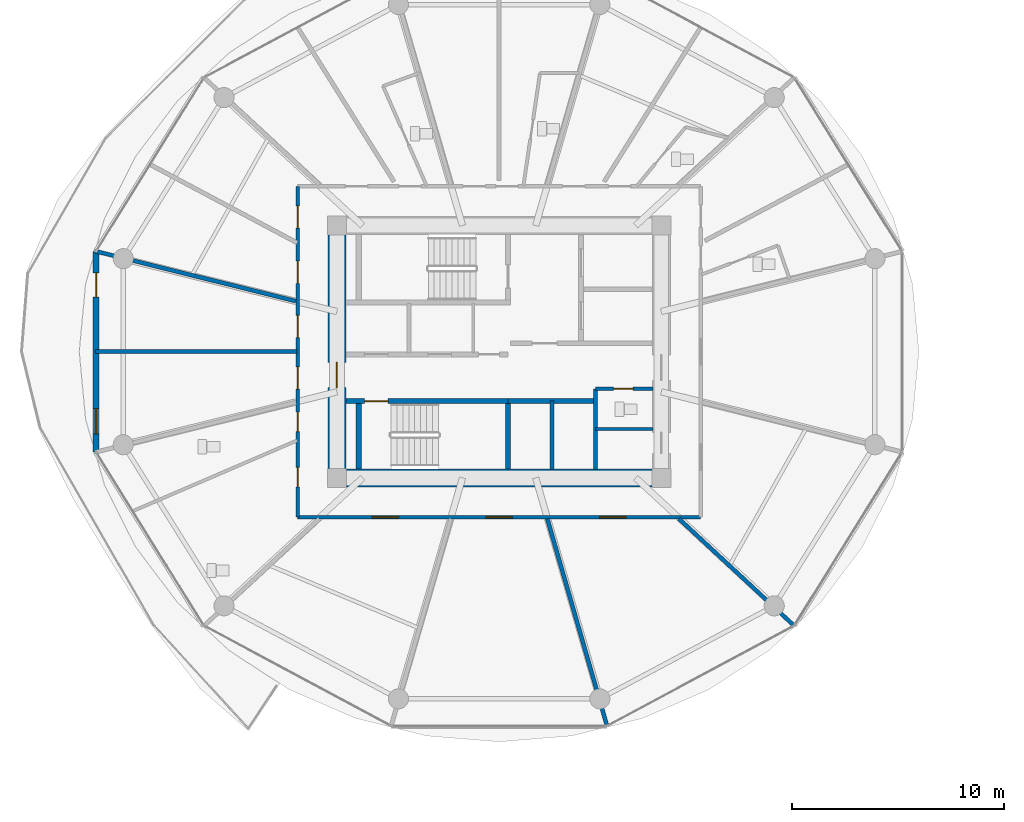
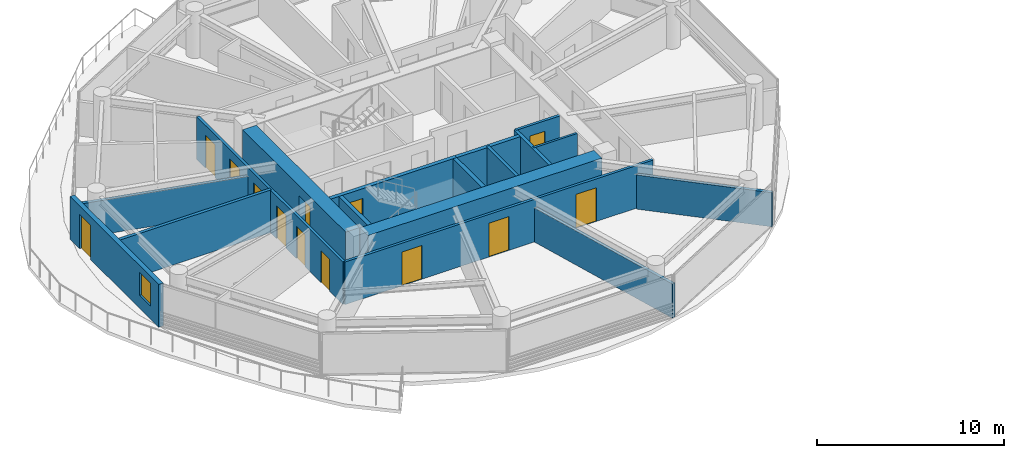
# One storey, part 15 of 27: 17 walls, 13 doors, 1 window, 14 openings.
"""IFC4 building model written with IfcOpenShell, lengths in metres."""

from ifc_helpers import new_model, si_unit, direction, frame, frame_2d, origin, place, context, subcontext, project, spatial, rectangle, extrude, source, transform, mapped, material, layer, layer_set, type_object, type_shapes, element, fill, save


model = new_model("IFC4")

# Units and contexts
model_context = context("Model", 3, precision=1e-05, world=origin(), true_north=direction((0.0, 1.0)))
body_context = subcontext(model_context, "Body", "Model", "MODEL_VIEW")
ifc_project = project(units=[si_unit("LENGTHUNIT", "METRE"), si_unit("AREAUNIT", "SQUARE_METRE"), si_unit("VOLUMEUNIT", "CUBIC_METRE"), si_unit("PLANEANGLEUNIT", "RADIAN"), si_unit("MASSUNIT", "GRAM", prefix="KILO")], contexts=[model_context])

# Site, building, storey
site_placement = place(None, origin())
site = spatial("IfcSite", under=ifc_project, at=site_placement, CompositionType="ELEMENT")
building_placement = place(site_placement, origin())
building = spatial("IfcBuilding", under=site, at=building_placement, Name="Norrkilde Senior Care Towers", CompositionType="ELEMENT")
storey_placement = place(building_placement, frame((0.0, 0.0, 36.85009765625)))
storey = spatial("IfcBuildingStorey", under=building, at=storey_placement, Name="L10", CompositionType="ELEMENT", Elevation=36.85009765625)

# Wall
ifc_material_1 = material(Name="Concrete C60/75", Category="concrete")
ifc_layer_1 = layer(ifc_material_1, 0.85009765625)
ifc_layer_set_1 = layer_set([ifc_layer_1], Name="Concrete C60/75")
wall_type_1 = type_object("IfcWallType", Name="Core Shear Wall Z1 850", PredefinedType="SHEAR", material=ifc_layer_set_1)
shared_shape_1 = source(origin(), body_context, "Body", "SweptSolid", [
    extrude(rectangle(XDim=14.39990234375, YDim=0.85009765625, at=frame_2d((7.199951171875, 0.0))), origin(), (0.0, 0.0, 1.0), 2.789794921875),
])
wall_1_placement = place(storey_placement, frame((-20.800048828125, -5.949951171875, 0.0), z_axis=(0.0, 0.0, 1.0), x_axis=(-1.0, 0.0, 0.0)))
element("IfcWall", 1, at=wall_1_placement, inside=storey, type_object=wall_type_1, Name="L10 Core W South Shear Wall", PredefinedType="SHEAR", context=body_context, shape_type="MappedRepresentation", body=[
    mapped(shared_shape_1, transform((0.0, 0.0, 0.0), x_axis=(1.0, 0.0, 0.0), y_axis=(0.0, 1.0, 0.0), z_axis=(0.0, 0.0, 1.0), scale=1.0)),
])

# Wall, opening, door
shared_shape_2 = source(origin(), body_context, "Body", "SweptSolid", [
    extrude(rectangle(XDim=11.0, YDim=0.85009765625, at=frame_2d((5.5, 0.0))), origin(), (0.0, 0.0, 1.0), 2.789794921875),
])
type_shapes(wall_type_1, [shared_shape_1, shared_shape_2])
wall_2_placement = place(storey_placement, frame((-35.64990234375, -5.5, 0.0), z_axis=(0.0, 0.0, 1.0), x_axis=(0.0, 1.0, 0.0)))
wall_2 = element("IfcWall", 2, at=wall_2_placement, inside=storey, type_object=wall_type_1, Name="L10 Core W West Shear Wall", PredefinedType="SHEAR", context=body_context, shape_type="MappedRepresentation", body=[
    mapped(shared_shape_2, transform((0.0, 0.0, 0.0), x_axis=(1.0, 0.0, 0.0), y_axis=(0.0, 1.0, 0.0), z_axis=(0.0, 0.0, 1.0), scale=1.0)),
])
opening_1_placement = place(wall_2_placement, frame((3.800048828125, 0.0, 0.0)))
opening_1 = element("IfcOpeningElement", 3, at=opening_1_placement, cuts=wall_2, Name="Opening D-04", PredefinedType="OPENING", context=body_context, shape_type="SweptSolid", body=[
    extrude(rectangle(XDim=1.199951171875, YDim=2.14990234375, at=frame_2d((0.60009765625, 1.074951171875))), frame((0.0, 0.43505859375, 0.0), z_axis=(0.0, -1.0, 0.0), x_axis=(1.0, 0.0, 0.0)), (0.0, 0.0, 1.0), 0.8701171875),
])
ifc_material_2 = material(Name="Galvanised Painted Steel", Category="steel")
door_type_1 = type_object("IfcDoorType", Name="Firefighting Lobby Fire Door 1200x2150", OperationType="NOTDEFINED", PredefinedType="DOOR", material=ifc_material_2)
shared_shape_3 = source(origin(), body_context, "Body", "SweptSolid", [
    extrude(rectangle(XDim=1.199951171875, YDim=2.14990234375, at=frame_2d((0.60009765625, 1.074951171875))), frame((0.0, 0.02490234375, 0.0), z_axis=(0.0, -1.0, 0.0), x_axis=(1.0, 0.0, 0.0)), (0.0, 0.0, 1.0), 0.050048828125),
])
type_shapes(door_type_1, [shared_shape_3])
door_1_placement = place(opening_1_placement, frame((1.199951171875, 0.0, 0.0), z_axis=(0.0, 0.0, 1.0), x_axis=(-1.0, 0.0, 0.0)))
door_1 = element("IfcDoor", 4, at=door_1_placement, inside=storey, type_object=door_type_1, Name="L10 Core W West Portal Door", OperationType="SINGLE_SWING_LEFT", OverallHeight=2.14990234375, OverallWidth=1.199951171875, PredefinedType="DOOR", context=body_context, shape_type="MappedRepresentation", body=[
    mapped(shared_shape_3, transform((0.0, 0.0, 0.0), x_axis=(1.0, 0.0, 0.0), y_axis=(0.0, 1.0, 0.0), z_axis=(0.0, 0.0, 1.0), scale=1.0)),
])
fill(opening_1, door_1)

# Wall, openings, door, window
ifc_material_3 = material(Name="Precast concrete C45/55", Category="concrete")
ifc_layer_2 = layer(ifc_material_3, 0.2900390625)
ifc_layer_set_2 = layer_set([ifc_layer_2], Name="Precast concrete C45/55")
wall_type_2 = type_object("IfcWallType", Name="Winter Garden Facade Wall 290", PredefinedType="SOLIDWALL", material=ifc_layer_set_2)
shared_shape_4 = source(origin(), body_context, "Body", "SweptSolid", [
    extrude(rectangle(XDim=9.46240234375, YDim=0.2900390625, at=frame_2d((4.731201171875, 0.0))), origin(), (0.0, 0.0, 1.0), 2.789794921875),
])
type_shapes(wall_type_2, [shared_shape_4])
wall_3_placement = place(storey_placement, frame((-47.009521484375, -4.731201171875, 0.0), z_axis=(0.0, 0.0, 1.0), x_axis=(0.0, 1.0, 0.0)))
wall_3 = element("IfcWall", 5, at=wall_3_placement, inside=storey, type_object=wall_type_2, Name="L10 Drum W Balcony Access Wall 05", PredefinedType="SOLIDWALL", context=body_context, shape_type="MappedRepresentation", body=[
    mapped(shared_shape_4, transform((0.0, 0.0, 0.0), x_axis=(1.0, 0.0, 0.0), y_axis=(0.0, 1.0, 0.0), z_axis=(0.0, 0.0, 1.0), scale=1.0)),
])
opening_2_placement = place(wall_3_placement, frame((7.300048828125, 0.0, 0.0)))
opening_2 = element("IfcOpeningElement", 6, at=opening_2_placement, cuts=wall_3, Name="Opening D-09", PredefinedType="OPENING", context=body_context, shape_type="SweptSolid", body=[
    extrude(rectangle(XDim=1.14990234375, YDim=2.25, at=frame_2d((0.574951171875, 1.125))), frame((0.0, 0.155029296875, 0.0), z_axis=(0.0, -1.0, 0.0), x_axis=(1.0, 0.0, 0.0)), (0.0, 0.0, 1.0), 0.31005859375),
])
opening_3_placement = place(wall_3_placement, frame((0.85009765625, 0.0, 0.85009765625)))
opening_3 = element("IfcOpeningElement", 7, at=opening_3_placement, cuts=wall_3, Name="Opening WN-07", PredefinedType="OPENING", context=body_context, shape_type="SweptSolid", body=[
    extrude(rectangle(XDim=1.199951171875, YDim=1.5, at=frame_2d((0.60009765625, 0.75))), frame((0.0, 0.155029296875, 0.0), z_axis=(0.0, -1.0, 0.0), x_axis=(1.0, 0.0, 0.0)), (0.0, 0.0, 1.0), 0.31005859375),
])
ifc_material_4 = material(Name="Anodised Aluminium", Category="aluminium")
door_type_2 = type_object("IfcDoorType", Name="Terrace and Balcony Glazed Door 1150x2250", OperationType="NOTDEFINED", PredefinedType="DOOR", material=ifc_material_4)
shared_shape_5 = source(origin(), body_context, "Body", "SweptSolid", [
    extrude(rectangle(XDim=1.14990234375, YDim=2.25, at=frame_2d((0.574951171875, 1.125))), frame((0.0, 0.02490234375, 0.0), z_axis=(0.0, -1.0, 0.0), x_axis=(1.0, 0.0, 0.0)), (0.0, 0.0, 1.0), 0.050048828125),
])
type_shapes(door_type_2, [shared_shape_5])
door_2_placement = place(opening_2_placement, origin())
door_2 = element("IfcDoor", 8, at=door_2_placement, inside=storey, type_object=door_type_2, Name="L10 Drum W Outdoor Terrace Door 05", OperationType="SINGLE_SWING_RIGHT", OverallHeight=2.25, OverallWidth=1.14990234375, PredefinedType="DOOR", context=body_context, shape_type="MappedRepresentation", body=[
    mapped(shared_shape_5, transform((0.0, 0.0, 0.0), x_axis=(1.0, 0.0, 0.0), y_axis=(0.0, 1.0, 0.0), z_axis=(0.0, 0.0, 1.0), scale=1.0)),
])
fill(opening_2, door_2)
ifc_material_5 = material(Name="Triple Low-E Insulated Glazing", Category="glass")
window_type = type_object("IfcWindowType", Name="Stairwell Smoke Vent Window 1200x1500", PartitioningType="SINGLE_PANEL", PredefinedType="WINDOW", material=ifc_material_5)
shared_shape_6 = source(origin(), body_context, "Body", "SweptSolid", [
    extrude(rectangle(XDim=1.199951171875, YDim=1.5, at=frame_2d((0.60009765625, 0.75))), frame((0.0, 0.030029296875, 0.0), z_axis=(0.0, -1.0, 0.0), x_axis=(1.0, 0.0, 0.0)), (0.0, 0.0, 1.0), 0.06005859375),
])
type_shapes(window_type, [shared_shape_6])
window_placement = place(opening_3_placement, origin())
window = element("IfcWindow", 9, at=window_placement, inside=storey, type_object=window_type, Name="L10 Drum W Winter Garden Window 05", OverallHeight=1.5, OverallWidth=1.199951171875, PartitioningType="SINGLE_PANEL", PredefinedType="WINDOW", context=body_context, shape_type="MappedRepresentation", body=[
    mapped(shared_shape_6, transform((0.0, 0.0, 0.0), x_axis=(1.0, 0.0, 0.0), y_axis=(0.0, 1.0, 0.0), z_axis=(0.0, 0.0, 1.0), scale=1.0)),
])
fill(opening_3, window)

# Wall, opening, door
ifc_material_6 = material(Name="Concrete C45/55", Category="concrete")
ifc_layer_3 = layer(ifc_material_6, 0.239990234375)
ifc_layer_set_3 = layer_set([ifc_layer_3], Name="Concrete C45/55")
wall_type_3 = type_object("IfcWallType", Name="Shaft and Stair Enclosure Wall 240", PredefinedType="PARTITIONING", material=ifc_layer_set_3)
shared_shape_7 = source(origin(), body_context, "Body", "SweptSolid", [
    extrude(rectangle(XDim=7.76513671875, YDim=0.239990234375, at=frame_2d((3.882568359375, 0.0))), origin(), (0.0, 0.0, 1.0), 2.789794921875),
])
wall_4_placement = place(storey_placement, frame((-35.22509765625, -2.330078125, 0.0), z_axis=(0.0, 0.0, 1.0), x_axis=(1.0, 0.0, 0.0)))
wall_4 = element("IfcWall", 10, at=wall_4_placement, inside=storey, type_object=wall_type_3, Name="WL-INT-L10-W-ST2N", PredefinedType="PARTITIONING", context=body_context, shape_type="MappedRepresentation", body=[
    mapped(shared_shape_7, transform((0.0, 0.0, 0.0), x_axis=(1.0, 0.0, 0.0), y_axis=(0.0, 1.0, 0.0), z_axis=(0.0, 0.0, 1.0), scale=1.0)),
])
opening_4_placement = place(wall_4_placement, frame((0.885009765625, 0.0, 0.0)))
opening_4 = element("IfcOpeningElement", 11, at=opening_4_placement, cuts=wall_4, Name="Opening D-03", PredefinedType="OPENING", context=body_context, shape_type="SweptSolid", body=[
    extrude(rectangle(XDim=1.10009765625, YDim=2.14990234375, at=frame_2d((0.550048828125, 1.074951171875))), frame((0.0, 0.1298828125, 0.0), z_axis=(0.0, -1.0, 0.0), x_axis=(1.0, 0.0, 0.0)), (0.0, 0.0, 1.0), 0.260009765625),
])
door_type_3 = type_object("IfcDoorType", Name="Stairwell Protected Fire Door 1100x2150", OperationType="NOTDEFINED", PredefinedType="DOOR", material=ifc_material_2)
shared_shape_8 = source(origin(), body_context, "Body", "SweptSolid", [
    extrude(rectangle(XDim=1.10009765625, YDim=2.14990234375, at=frame_2d((0.550048828125, 1.074951171875))), frame((0.0, 0.02490234375, 0.0), z_axis=(0.0, -1.0, 0.0), x_axis=(1.0, 0.0, 0.0)), (0.0, 0.0, 1.0), 0.050048828125),
])
type_shapes(door_type_3, [shared_shape_8])
door_3_placement = place(opening_4_placement, frame((1.10009765625, 0.0, 0.0), z_axis=(0.0, 0.0, 1.0), x_axis=(-1.0, 0.0, 0.0)))
door_3 = element("IfcDoor", 12, at=door_3_placement, inside=storey, type_object=door_type_3, Name="L10 Stair W2 Fire Door", OperationType="SINGLE_SWING_RIGHT", OverallHeight=2.14990234375, OverallWidth=1.10009765625, PredefinedType="DOOR", context=body_context, shape_type="MappedRepresentation", body=[
    mapped(shared_shape_8, transform((0.0, 0.0, 0.0), x_axis=(1.0, 0.0, 0.0), y_axis=(0.0, 1.0, 0.0), z_axis=(0.0, 0.0, 1.0), scale=1.0)),
])
fill(opening_4, door_3)

# Walls
shared_shape_9 = source(origin(), body_context, "Body", "SweptSolid", [
    extrude(rectangle(XDim=3.074951171875, YDim=0.239990234375, at=frame_2d((1.53759765625, 0.0))), origin(), (0.0, 0.0, 1.0), 2.789794921875),
])
type_shapes(wall_type_3, [shared_shape_7, shared_shape_9])
for number, where, z_axis, x_axis, name in (
    (13, (-34.6201171875, -5.52490234375, 0.0), (0.0, 0.0, 1.0), (0.0, 1.0, 0.0), "WL-INT-L10-W-ST2W"),
    (14, (-27.580078125, -5.52490234375, 0.0), (0.0, 0.0, 1.0), (0.0, 1.0, 0.0), "WL-INT-L10-W-ST2E"),
):
    element("IfcWall", number, at=place(storey_placement, frame(where, z_axis=z_axis, x_axis=x_axis)), inside=storey, type_object=wall_type_3, Name=name, PredefinedType="PARTITIONING", context=body_context, shape_type="MappedRepresentation", body=[
        mapped(shared_shape_9, transform((0.0, 0.0, 0.0), x_axis=(1.0, 0.0, 0.0), y_axis=(0.0, 1.0, 0.0), z_axis=(0.0, 0.0, 1.0), scale=1.0)),
    ])
ifc_layer_4 = layer(ifc_material_6, 0.199951171875)
ifc_layer_set_4 = layer_set([ifc_layer_4], Name="Concrete C45/55")
wall_type_4 = type_object("IfcWallType", Name="Shaft Division and Plant Partition 200", PredefinedType="PARTITIONING", material=ifc_layer_set_4)
shared_shape_10 = source(origin(), body_context, "Body", "SweptSolid", [
    extrude(rectangle(XDim=3.800048828125, YDim=0.199951171875, at=frame_2d((1.89990234375, 0.0))), origin(), (0.0, 0.0, 1.0), 2.77490234375),
])
type_shapes(wall_type_4, [shared_shape_10])
wall_5_placement = place(storey_placement, frame((-23.449951171875, -5.550048828125, 0.0), z_axis=(0.0, 0.0, 1.0), x_axis=(0.0, 1.0, 0.0)))
element("IfcWall", 15, at=wall_5_placement, inside=storey, type_object=wall_type_4, Name="WL-INT-L10-W-PKBE", PredefinedType="PARTITIONING", context=body_context, shape_type="MappedRepresentation", body=[
    mapped(shared_shape_10, transform((0.0, 0.0, 0.0), x_axis=(1.0, 0.0, 0.0), y_axis=(0.0, 1.0, 0.0), z_axis=(0.0, 0.0, 1.0), scale=1.0)),
])
ifc_layer_5 = layer(ifc_material_6, 0.239990234375)
ifc_layer_set_5 = layer_set([ifc_layer_5], Name="Concrete C45/55")
wall_type_5 = type_object("IfcWallType", Name="Lift and Plant Rated Enclosure Partition 240", PredefinedType="PARTITIONING", material=ifc_layer_set_5)
shared_shape_11 = source(origin(), body_context, "Body", "SweptSolid", [
    extrude(rectangle(XDim=4.130126953125, YDim=0.239990234375, at=frame_2d((2.06494140625, 0.0))), origin(), (0.0, 0.0, 1.0), 2.77490234375),
])
type_shapes(wall_type_5, [shared_shape_11])
wall_6_placement = place(storey_placement, frame((-27.580078125, -2.330078125, 0.0), z_axis=(0.0, 0.0, 1.0), x_axis=(1.0, 0.0, 0.0)))
element("IfcWall", 16, at=wall_6_placement, inside=storey, type_object=wall_type_5, Name="WL-INT-L10-W-PKBN", PredefinedType="PARTITIONING", context=body_context, shape_type="MappedRepresentation", body=[
    mapped(shared_shape_11, transform((0.0, 0.0, 0.0), x_axis=(1.0, 0.0, 0.0), y_axis=(0.0, 1.0, 0.0), z_axis=(0.0, 0.0, 1.0), scale=1.0)),
])
ifc_layer_6 = layer(ifc_material_6, 0.179931640625)
ifc_layer_set_6 = layer_set([ifc_layer_6], Name="Concrete C45/55")
wall_type_6 = type_object("IfcWallType", Name="Hoistway Division Rated Partition 180", PredefinedType="PARTITIONING", material=ifc_layer_set_6)
shared_shape_12 = source(origin(), body_context, "Body", "SweptSolid", [
    extrude(rectangle(XDim=3.219970703125, YDim=0.179931640625, at=frame_2d((1.60986328125, 0.0))), origin(), (0.0, 0.0, 1.0), 2.77490234375),
])
type_shapes(wall_type_6, [shared_shape_12])
wall_7_placement = place(storey_placement, frame((-25.5, -5.550048828125, 0.0), z_axis=(0.0, 0.0, 1.0), x_axis=(0.0, 1.0, 0.0)))
element("IfcWall", 17, at=wall_7_placement, inside=storey, type_object=wall_type_6, Name="WL-INT-L10-W-PL34", PredefinedType="PARTITIONING", context=body_context, shape_type="MappedRepresentation", body=[
    mapped(shared_shape_12, transform((0.0, 0.0, 0.0), x_axis=(1.0, 0.0, 0.0), y_axis=(0.0, 1.0, 0.0), z_axis=(0.0, 0.0, 1.0), scale=1.0)),
])

# Wall, opening, door
ifc_material_7 = material(Name="Gypsum Acoustic Board")
ifc_layer_7 = layer(ifc_material_7, 0.1650390625)
ifc_layer_set_7 = layer_set([ifc_layer_7], Name="Gypsum Acoustic Board")
wall_type_7 = type_object("IfcWallType", Name="Corridor Rated Partition 165", PredefinedType="PARTITIONING", material=ifc_layer_set_7)
shared_shape_13 = source(origin(), body_context, "Body", "SweptSolid", [
    extrude(rectangle(XDim=2.699951171875, YDim=0.1650390625, at=frame_2d((1.35009765625, 0.0))), origin(), (0.0, 0.0, 1.0), 2.77490234375),
])
wall_8_placement = place(storey_placement, frame((-23.449951171875, -1.75, 0.0), z_axis=(0.0, 0.0, 1.0), x_axis=(1.0, 0.0, 0.0)))
wall_8 = element("IfcWall", 18, at=wall_8_placement, inside=storey, type_object=wall_type_7, Name="WL-INT-L10-W-CSN", PredefinedType="PARTITIONING", context=body_context, shape_type="MappedRepresentation", body=[
    mapped(shared_shape_13, transform((0.0, 0.0, 0.0), x_axis=(1.0, 0.0, 0.0), y_axis=(0.0, 1.0, 0.0), z_axis=(0.0, 0.0, 1.0), scale=1.0)),
])
opening_5_placement = place(wall_8_placement, frame((0.85009765625, 0.0, 0.0)))
opening_5 = element("IfcOpeningElement", 19, at=opening_5_placement, cuts=wall_8, Name="Opening D-12", PredefinedType="OPENING", context=body_context, shape_type="SweptSolid", body=[
    extrude(rectangle(XDim=0.925048828125, YDim=2.10009765625, at=frame_2d((0.46240234375, 1.050048828125))), frame((0.0, 0.092529296875, 0.0), z_axis=(0.0, -1.0, 0.0), x_axis=(1.0, 0.0, 0.0)), (0.0, 0.0, 1.0), 0.18505859375),
])
door_type_4 = type_object("IfcDoorType", Name="Core Wet Room Rated Door 925x2100", OperationType="NOTDEFINED", PredefinedType="DOOR", material=ifc_material_2)
shared_shape_14 = source(origin(), body_context, "Body", "SweptSolid", [
    extrude(rectangle(XDim=0.925048828125, YDim=2.10009765625, at=frame_2d((0.46240234375, 1.050048828125))), frame((0.0, 0.02490234375, 0.0), z_axis=(0.0, -1.0, 0.0), x_axis=(1.0, 0.0, 0.0)), (0.0, 0.0, 1.0), 0.050048828125),
])
type_shapes(door_type_4, [shared_shape_14])
door_4_placement = place(opening_5_placement, origin())
door_4 = element("IfcDoor", 20, at=door_4_placement, inside=storey, type_object=door_type_4, Name="L10 Staff WC W Door", OperationType="SINGLE_SWING_LEFT", OverallHeight=2.10009765625, OverallWidth=0.925048828125, PredefinedType="DOOR", context=body_context, shape_type="MappedRepresentation", body=[
    mapped(shared_shape_14, transform((0.0, 0.0, 0.0), x_axis=(1.0, 0.0, 0.0), y_axis=(0.0, 1.0, 0.0), z_axis=(0.0, 0.0, 1.0), scale=1.0)),
])
fill(opening_5, door_4)

# Wall
ifc_layer_8 = layer(ifc_material_7, 0.139892578125)
ifc_layer_set_8 = layer_set([ifc_layer_8], Name="Gypsum Acoustic Board")
wall_type_8 = type_object("IfcWallType", Name="En-suite Wet Room Wall 140", PredefinedType="PARTITIONING", material=ifc_layer_set_8)
shared_shape_15 = source(origin(), body_context, "Body", "SweptSolid", [
    extrude(rectangle(XDim=2.699951171875, YDim=0.139892578125, at=frame_2d((1.35009765625, 0.0))), origin(), (0.0, 0.0, 1.0), 2.77490234375),
])
type_shapes(wall_type_8, [shared_shape_15])
wall_9_placement = place(storey_placement, frame((-23.449951171875, -3.64990234375, 0.0), z_axis=(0.0, 0.0, 1.0), x_axis=(1.0, 0.0, 0.0)))
element("IfcWall", 21, at=wall_9_placement, inside=storey, type_object=wall_type_8, Name="WL-INT-L10-W-CS2H", PredefinedType="PARTITIONING", context=body_context, shape_type="MappedRepresentation", body=[
    mapped(shared_shape_15, transform((0.0, 0.0, 0.0), x_axis=(1.0, 0.0, 0.0), y_axis=(0.0, 1.0, 0.0), z_axis=(0.0, 0.0, 1.0), scale=1.0)),
])

# Wall, openings, doors
shared_shape_16 = source(origin(), body_context, "Body", "SweptSolid", [
    extrude(rectangle(XDim=19.0, YDim=0.1650390625, at=frame_2d((9.5, 0.0))), origin(), (0.0, 0.0, 1.0), 2.77490234375),
])
wall_10_placement = place(storey_placement, frame((-18.5, -7.800048828125, 0.0), z_axis=(0.0, 0.0, 1.0), x_axis=(-1.0, 0.0, 0.0)))
wall_10 = element("IfcWall", 22, at=wall_10_placement, inside=storey, type_object=wall_type_7, Name="WL-INT-L10-W-CRW-S-0", PredefinedType="PARTITIONING", context=body_context, shape_type="MappedRepresentation", body=[
    mapped(shared_shape_16, transform((0.0, 0.0, 0.0), x_axis=(1.0, 0.0, 0.0), y_axis=(0.0, 1.0, 0.0), z_axis=(0.0, 0.0, 1.0), scale=1.0)),
])
opening_6_placement = place(wall_10_placement, frame((14.244384765625, 0.0, 0.0)))
opening_6 = element("IfcOpeningElement", 23, at=opening_6_placement, cuts=wall_10, Name="Opening D-05", PredefinedType="OPENING", context=body_context, shape_type="SweptSolid", body=[
    extrude(rectangle(XDim=1.25, YDim=2.199951171875, at=frame_2d((0.625, 1.10009765625))), frame((0.0, 0.092529296875, 0.0), z_axis=(0.0, -1.0, 0.0), x_axis=(1.0, 0.0, 0.0)), (0.0, 0.0, 1.0), 0.18505859375),
])
opening_7_placement = place(wall_10_placement, frame((8.875, 0.0, 0.0)))
opening_7 = element("IfcOpeningElement", 24, at=opening_7_placement, cuts=wall_10, Name="Opening D-05", PredefinedType="OPENING", context=body_context, shape_type="SweptSolid", body=[
    extrude(rectangle(XDim=1.25, YDim=2.199951171875, at=frame_2d((0.625, 1.10009765625))), frame((0.0, 0.092529296875, 0.0), z_axis=(0.0, -1.0, 0.0), x_axis=(1.0, 0.0, 0.0)), (0.0, 0.0, 1.0), 0.18505859375),
])
opening_8_placement = place(wall_10_placement, frame((3.505615234375, 0.0, 0.0)))
opening_8 = element("IfcOpeningElement", 25, at=opening_8_placement, cuts=wall_10, Name="Opening D-05", PredefinedType="OPENING", context=body_context, shape_type="SweptSolid", body=[
    extrude(rectangle(XDim=1.25, YDim=2.199951171875, at=frame_2d((0.625, 1.10009765625))), frame((0.0, 0.092529296875, 0.0), z_axis=(0.0, -1.0, 0.0), x_axis=(1.0, 0.0, 0.0)), (0.0, 0.0, 1.0), 0.18505859375),
])
ifc_material_8 = material(Name="Nordic Ash Timber", Category="wood")
door_type_5 = type_object("IfcDoorType", Name="Care Bedroom Bariatric Door 1250x2200", OperationType="NOTDEFINED", PredefinedType="DOOR", material=ifc_material_8)
shared_shape_17 = source(origin(), body_context, "Body", "SweptSolid", [
    extrude(rectangle(XDim=1.25, YDim=2.199951171875, at=frame_2d((0.625, 1.10009765625))), frame((0.0, 0.02490234375, 0.0), z_axis=(0.0, -1.0, 0.0), x_axis=(1.0, 0.0, 0.0)), (0.0, 0.0, 1.0), 0.050048828125),
])
type_shapes(door_type_5, [shared_shape_17])
door_5_placement = place(opening_6_placement, frame((1.25, 0.0, 0.0), z_axis=(0.0, 0.0, 1.0), x_axis=(-1.0, 0.0, 0.0)))
door_5 = element("IfcDoor", 26, at=door_5_placement, inside=storey, type_object=door_type_5, Name="L10 Resident Therapeutic Day Lounge Door", OperationType="SINGLE_SWING_RIGHT", OverallHeight=2.199951171875, OverallWidth=1.25, PredefinedType="DOOR", context=body_context, shape_type="MappedRepresentation", body=[
    mapped(shared_shape_17, transform((0.0, 0.0, 0.0), x_axis=(1.0, 0.0, 0.0), y_axis=(0.0, 1.0, 0.0), z_axis=(0.0, 0.0, 1.0), scale=1.0)),
])
fill(opening_6, door_5)
door_6_placement = place(opening_7_placement, frame((1.25, 0.0, 0.0), z_axis=(0.0, 0.0, 1.0), x_axis=(-1.0, 0.0, 0.0)))
door_6 = element("IfcDoor", 27, at=door_6_placement, inside=storey, type_object=door_type_5, Name="L10 Household Therapeutic Kitchen Door", OperationType="SINGLE_SWING_LEFT", OverallHeight=2.199951171875, OverallWidth=1.25, PredefinedType="DOOR", context=body_context, shape_type="MappedRepresentation", body=[
    mapped(shared_shape_17, transform((0.0, 0.0, 0.0), x_axis=(1.0, 0.0, 0.0), y_axis=(0.0, 1.0, 0.0), z_axis=(0.0, 0.0, 1.0), scale=1.0)),
])
fill(opening_7, door_6)
door_7_placement = place(opening_8_placement, frame((1.25, 0.0, 0.0), z_axis=(0.0, 0.0, 1.0), x_axis=(-1.0, 0.0, 0.0)))
door_7 = element("IfcDoor", 28, at=door_7_placement, inside=storey, type_object=door_type_5, Name="L10 Household Communal Dining Salon Door", OperationType="SINGLE_SWING_RIGHT", OverallHeight=2.199951171875, OverallWidth=1.25, PredefinedType="DOOR", context=body_context, shape_type="MappedRepresentation", body=[
    mapped(shared_shape_17, transform((0.0, 0.0, 0.0), x_axis=(1.0, 0.0, 0.0), y_axis=(0.0, 1.0, 0.0), z_axis=(0.0, 0.0, 1.0), scale=1.0)),
])
fill(opening_8, door_7)

shared_shape_18 = source(origin(), body_context, "Body", "SweptSolid", [
    extrude(rectangle(XDim=15.60009765625, YDim=0.1650390625, at=frame_2d((7.800048828125, 0.0))), origin(), (0.0, 0.0, 1.0), 2.77490234375),
])
type_shapes(wall_type_7, [shared_shape_13, shared_shape_16, shared_shape_18])
wall_11_placement = place(storey_placement, frame((-37.5, -7.800048828125, 0.0), z_axis=(0.0, 0.0, 1.0), x_axis=(0.0, 1.0, 0.0)))
wall_11 = element("IfcWall", 29, at=wall_11_placement, inside=storey, type_object=wall_type_7, Name="WL-INT-L10-W-CRW-W-0", PredefinedType="PARTITIONING", context=body_context, shape_type="MappedRepresentation", body=[
    mapped(shared_shape_18, transform((0.0, 0.0, 0.0), x_axis=(1.0, 0.0, 0.0), y_axis=(0.0, 1.0, 0.0), z_axis=(0.0, 0.0, 1.0), scale=1.0)),
])
opening_9_placement = place(wall_11_placement, frame((13.623046875, 0.0, 0.0)))
opening_9 = element("IfcOpeningElement", 30, at=opening_9_placement, cuts=wall_11, Name="Opening D-06", PredefinedType="OPENING", context=body_context, shape_type="SweptSolid", body=[
    extrude(rectangle(XDim=1.050048828125, YDim=2.14990234375, at=frame_2d((0.52490234375, 1.074951171875))), frame((0.0, 0.092529296875, 0.0), z_axis=(0.0, -1.0, 0.0), x_axis=(1.0, 0.0, 0.0)), (0.0, 0.0, 1.0), 0.18505859375),
])
opening_10_placement = place(wall_11_placement, frame((11.017578125, 0.0, 0.0)))
opening_10 = element("IfcOpeningElement", 31, at=opening_10_placement, cuts=wall_11, Name="Opening D-06", PredefinedType="OPENING", context=body_context, shape_type="SweptSolid", body=[
    extrude(rectangle(XDim=1.050048828125, YDim=2.14990234375, at=frame_2d((0.52490234375, 1.074951171875))), frame((0.0, 0.092529296875, 0.0), z_axis=(0.0, -1.0, 0.0), x_axis=(1.0, 0.0, 0.0)), (0.0, 0.0, 1.0), 0.18505859375),
])
opening_11_placement = place(wall_11_placement, frame((8.467041015625, 0.0, 0.0)))
opening_11 = element("IfcOpeningElement", 32, at=opening_11_placement, cuts=wall_11, Name="Opening D-06", PredefinedType="OPENING", context=body_context, shape_type="SweptSolid", body=[
    extrude(rectangle(XDim=1.050048828125, YDim=2.14990234375, at=frame_2d((0.52490234375, 1.074951171875))), frame((0.0, 0.092529296875, 0.0), z_axis=(0.0, -1.0, 0.0), x_axis=(1.0, 0.0, 0.0)), (0.0, 0.0, 1.0), 0.18505859375),
])
opening_12_placement = place(wall_11_placement, frame((6.03466796875, 0.0, 0.0)))
opening_12 = element("IfcOpeningElement", 33, at=opening_12_placement, cuts=wall_11, Name="Opening D-06", PredefinedType="OPENING", context=body_context, shape_type="SweptSolid", body=[
    extrude(rectangle(XDim=1.050048828125, YDim=2.14990234375, at=frame_2d((0.52490234375, 1.074951171875))), frame((0.0, 0.092529296875, 0.0), z_axis=(0.0, -1.0, 0.0), x_axis=(1.0, 0.0, 0.0)), (0.0, 0.0, 1.0), 0.18505859375),
])
opening_13_placement = place(wall_11_placement, frame((4.033935546875, 0.0, 0.0)))
opening_13 = element("IfcOpeningElement", 34, at=opening_13_placement, cuts=wall_11, Name="Opening D-08", PredefinedType="OPENING", context=body_context, shape_type="SweptSolid", body=[
    extrude(rectangle(XDim=0.919921875, YDim=2.10009765625, at=frame_2d((0.4599609375, 1.050048828125))), frame((0.0, 0.092529296875, 0.0), z_axis=(0.0, -1.0, 0.0), x_axis=(1.0, 0.0, 0.0)), (0.0, 0.0, 1.0), 0.18505859375),
])
opening_14_placement = place(wall_11_placement, frame((1.426025390625, 0.0, 0.0)))
opening_14 = element("IfcOpeningElement", 35, at=opening_14_placement, cuts=wall_11, Name="Opening D-08", PredefinedType="OPENING", context=body_context, shape_type="SweptSolid", body=[
    extrude(rectangle(XDim=0.919921875, YDim=2.10009765625, at=frame_2d((0.4599609375, 1.050048828125))), frame((0.0, 0.092529296875, 0.0), z_axis=(0.0, -1.0, 0.0), x_axis=(1.0, 0.0, 0.0)), (0.0, 0.0, 1.0), 0.18505859375),
])
door_type_6 = type_object("IfcDoorType", Name="Accessible Wet Room Door 920x2100", OperationType="NOTDEFINED", PredefinedType="DOOR", material=ifc_material_8)
shared_shape_19 = source(origin(), body_context, "Body", "SweptSolid", [
    extrude(rectangle(XDim=0.919921875, YDim=2.10009765625, at=frame_2d((0.4599609375, 1.050048828125))), frame((0.0, 0.02490234375, 0.0), z_axis=(0.0, -1.0, 0.0), x_axis=(1.0, 0.0, 0.0)), (0.0, 0.0, 1.0), 0.050048828125),
])
type_shapes(door_type_6, [shared_shape_19])
door_8_placement = place(opening_13_placement, frame((0.919921875, 0.0, 0.0), z_axis=(0.0, 0.0, 1.0), x_axis=(-1.0, 0.0, 0.0)))
door_8 = element("IfcDoor", 36, at=door_8_placement, inside=storey, type_object=door_type_6, Name="L10 Accessible Restroom Door", OperationType="SINGLE_SWING_LEFT", OverallHeight=2.10009765625, OverallWidth=0.919921875, PredefinedType="DOOR", context=body_context, shape_type="MappedRepresentation", body=[
    mapped(shared_shape_19, transform((0.0, 0.0, 0.0), x_axis=(1.0, 0.0, 0.0), y_axis=(0.0, 1.0, 0.0), z_axis=(0.0, 0.0, 1.0), scale=1.0)),
])
fill(opening_13, door_8)
door_9_placement = place(opening_14_placement, frame((0.919921875, 0.0, 0.0), z_axis=(0.0, 0.0, 1.0), x_axis=(-1.0, 0.0, 0.0)))
door_9 = element("IfcDoor", 37, at=door_9_placement, inside=storey, type_object=door_type_6, Name="L10 Public Restroom Door", OperationType="SINGLE_SWING_RIGHT", OverallHeight=2.10009765625, OverallWidth=0.919921875, PredefinedType="DOOR", context=body_context, shape_type="MappedRepresentation", body=[
    mapped(shared_shape_19, transform((0.0, 0.0, 0.0), x_axis=(1.0, 0.0, 0.0), y_axis=(0.0, 1.0, 0.0), z_axis=(0.0, 0.0, 1.0), scale=1.0)),
])
fill(opening_14, door_9)
door_type_7 = type_object("IfcDoorType", Name="Apartment Entrance Fire Door 1050x2150", OperationType="NOTDEFINED", PredefinedType="DOOR", material=ifc_material_8)
shared_shape_20 = source(origin(), body_context, "Body", "SweptSolid", [
    extrude(rectangle(XDim=1.050048828125, YDim=2.14990234375, at=frame_2d((0.52490234375, 1.074951171875))), frame((0.0, 0.02490234375, 0.0), z_axis=(0.0, -1.0, 0.0), x_axis=(1.0, 0.0, 0.0)), (0.0, 0.0, 1.0), 0.050048828125),
])
type_shapes(door_type_7, [shared_shape_20])
door_10_placement = place(opening_9_placement, frame((1.050048828125, 0.0, 0.0), z_axis=(0.0, 0.0, 1.0), x_axis=(-1.0, 0.0, 0.0)))
door_10 = element("IfcDoor", 38, at=door_10_placement, inside=storey, type_object=door_type_7, Name="L10 Physiotherapy Clinic 4A Door", OperationType="SINGLE_SWING_LEFT", OverallHeight=2.14990234375, OverallWidth=1.050048828125, PredefinedType="DOOR", context=body_context, shape_type="MappedRepresentation", body=[
    mapped(shared_shape_20, transform((0.0, 0.0, 0.0), x_axis=(1.0, 0.0, 0.0), y_axis=(0.0, 1.0, 0.0), z_axis=(0.0, 0.0, 1.0), scale=1.0)),
])
fill(opening_9, door_10)
door_11_placement = place(opening_10_placement, frame((1.050048828125, 0.0, 0.0), z_axis=(0.0, 0.0, 1.0), x_axis=(-1.0, 0.0, 0.0)))
door_11 = element("IfcDoor", 39, at=door_11_placement, inside=storey, type_object=door_type_7, Name="L10 Assessment Clinic 4B Door", OperationType="SINGLE_SWING_RIGHT", OverallHeight=2.14990234375, OverallWidth=1.050048828125, PredefinedType="DOOR", context=body_context, shape_type="MappedRepresentation", body=[
    mapped(shared_shape_20, transform((0.0, 0.0, 0.0), x_axis=(1.0, 0.0, 0.0), y_axis=(0.0, 1.0, 0.0), z_axis=(0.0, 0.0, 1.0), scale=1.0)),
])
fill(opening_10, door_11)
door_12_placement = place(opening_11_placement, frame((1.050048828125, 0.0, 0.0), z_axis=(0.0, 0.0, 1.0), x_axis=(-1.0, 0.0, 0.0)))
door_12 = element("IfcDoor", 40, at=door_12_placement, inside=storey, type_object=door_type_7, Name="L10 Physiotherapy Clinic 5A Door", OperationType="SINGLE_SWING_RIGHT", OverallHeight=2.14990234375, OverallWidth=1.050048828125, PredefinedType="DOOR", context=body_context, shape_type="MappedRepresentation", body=[
    mapped(shared_shape_20, transform((0.0, 0.0, 0.0), x_axis=(1.0, 0.0, 0.0), y_axis=(0.0, 1.0, 0.0), z_axis=(0.0, 0.0, 1.0), scale=1.0)),
])
fill(opening_11, door_12)
door_13_placement = place(opening_12_placement, frame((1.050048828125, 0.0, 0.0), z_axis=(0.0, 0.0, 1.0), x_axis=(-1.0, 0.0, 0.0)))
door_13 = element("IfcDoor", 41, at=door_13_placement, inside=storey, type_object=door_type_7, Name="L10 Assessment Clinic 5B Door", OperationType="SINGLE_SWING_LEFT", OverallHeight=2.14990234375, OverallWidth=1.050048828125, PredefinedType="DOOR", context=body_context, shape_type="MappedRepresentation", body=[
    mapped(shared_shape_20, transform((0.0, 0.0, 0.0), x_axis=(1.0, 0.0, 0.0), y_axis=(0.0, 1.0, 0.0), z_axis=(0.0, 0.0, 1.0), scale=1.0)),
])
fill(opening_12, door_13)

# Walls
ifc_layer_9 = layer(ifc_material_7, 0.18994140625)
ifc_layer_set_9 = layer_set([ifc_layer_9], Name="Gypsum Acoustic Board")
wall_type_9 = type_object("IfcWallType", Name="Unit Demising Acoustic Wall 190", PredefinedType="PARTITIONING", material=ifc_layer_set_9)
shared_shape_21 = source(origin(), body_context, "Body", "SweptSolid", [
    extrude(rectangle(XDim=7.4345703125, YDim=0.18994140625, at=frame_2d((3.71728515625, 0.0))), origin(), (0.0, 0.0, 1.0), 2.224853515625),
])
wall_12_placement = place(storey_placement, frame((-19.51708984375, -7.8798828125, 0.0), z_axis=(0.0, 0.0, 1.0), x_axis=(0.732651956848, -0.680603489652, 0.0)))
element("IfcWall", 42, at=wall_12_placement, inside=storey, type_object=wall_type_9, Name="WL-INT-L10-W-DEM-10-0", PredefinedType="PARTITIONING", context=body_context, shape_type="MappedRepresentation", body=[
    mapped(shared_shape_21, transform((0.0, 0.0, 0.0), x_axis=(1.0, 0.0, 0.0), y_axis=(0.0, 1.0, 0.0), z_axis=(0.0, 0.0, 1.0), scale=1.0)),
])
shared_shape_22 = source(origin(), body_context, "Body", "SweptSolid", [
    extrude(rectangle(XDim=10.196044921875, YDim=0.18994140625, at=frame_2d((5.09814453125, 0.0))), origin(), (0.0, 0.0, 1.0), 2.224853515625),
])
wall_13_placement = place(storey_placement, frame((-25.72705078125, -7.8798828125, 0.0), z_axis=(0.0, 0.0, 1.0), x_axis=(0.277136420347, -0.960830580549, 0.0)))
element("IfcWall", 43, at=wall_13_placement, inside=storey, type_object=wall_type_9, Name="WL-INT-L10-W-DEM-09-0", PredefinedType="PARTITIONING", context=body_context, shape_type="MappedRepresentation", body=[
    mapped(shared_shape_22, transform((0.0, 0.0, 0.0), x_axis=(1.0, 0.0, 0.0), y_axis=(0.0, 1.0, 0.0), z_axis=(0.0, 0.0, 1.0), scale=1.0)),
])
shared_shape_23 = source(origin(), body_context, "Body", "SweptSolid", [
    extrude(rectangle(XDim=9.737060546875, YDim=0.18994140625, at=frame_2d((4.86865234375, 0.0))), origin(), (0.0, 0.0, 1.0), 2.224853515625),
])
wall_14_placement = place(storey_placement, frame((-37.580078125, 2.384521484375, 0.0), z_axis=(0.0, 0.0, 1.0), x_axis=(-0.970392716238, 0.241532557375, 0.0)))
element("IfcWall", 44, at=wall_14_placement, inside=storey, type_object=wall_type_9, Name="WL-INT-L10-W-DEM-05-0", PredefinedType="PARTITIONING", context=body_context, shape_type="MappedRepresentation", body=[
    mapped(shared_shape_23, transform((0.0, 0.0, 0.0), x_axis=(1.0, 0.0, 0.0), y_axis=(0.0, 1.0, 0.0), z_axis=(0.0, 0.0, 1.0), scale=1.0)),
])
shared_shape_24 = source(origin(), body_context, "Body", "SweptSolid", [
    extrude(rectangle(XDim=9.498779296875, YDim=0.18994140625, at=frame_2d((4.74951171875, 0.0))), origin(), (0.0, 0.0, 1.0), 2.77490234375),
])
type_shapes(wall_type_9, [shared_shape_21, shared_shape_22, shared_shape_23, shared_shape_24])
wall_15_placement = place(storey_placement, frame((-37.530029296875, 0.0, 0.0), z_axis=(0.0, 0.0, 1.0), x_axis=(-1.0, 0.0, 0.0)))
element("IfcWall", 45, at=wall_15_placement, inside=storey, type_object=wall_type_9, Name="WL-INT-L10-W-MID-05", PredefinedType="PARTITIONING", context=body_context, shape_type="MappedRepresentation", body=[
    mapped(shared_shape_24, transform((0.0, 0.0, 0.0), x_axis=(1.0, 0.0, 0.0), y_axis=(0.0, 1.0, 0.0), z_axis=(0.0, 0.0, 1.0), scale=1.0)),
])

save(model, "model.ifc")
